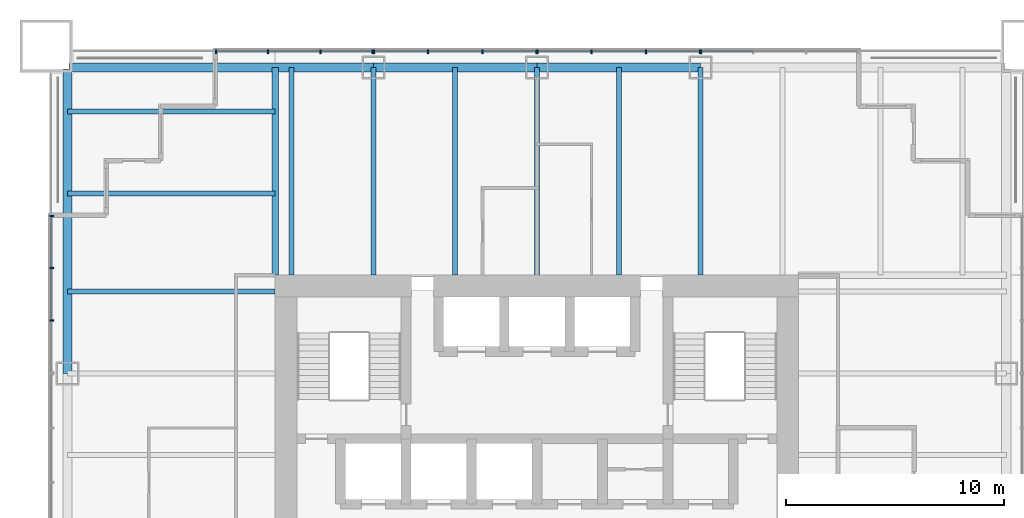
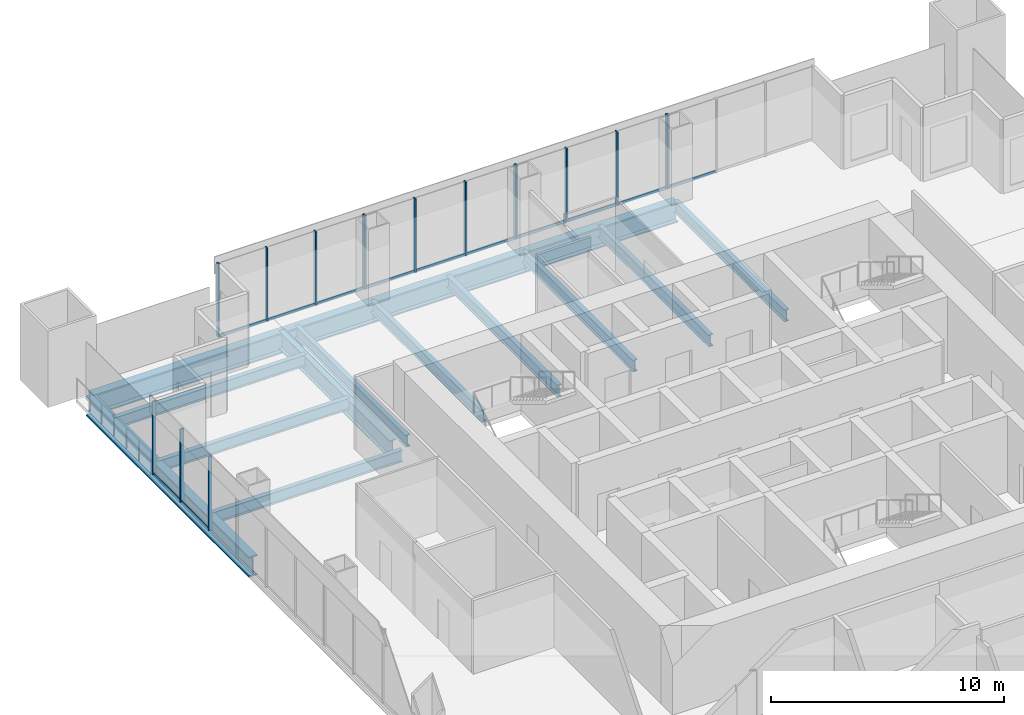
# One storey, part 5 of 13: 28 members, 14 beams, 5 elements without a shape of their own.
"""IFC4 building model written with IfcOpenShell, lengths in metres."""

from ifc_helpers import new_model, si_unit, direction, frame, origin, origin_2d, place, context, subcontext, project, spatial, rectangle, i_section, extrude, material, material_profile, profile_set, type_object, element, aggregate, save


model = new_model("IFC4")

# Units and contexts
model_context = context("Model", 3, precision=1e-05, world=origin(), true_north=direction((0.0, 1.0)))
body_context = subcontext(model_context, "Body", "Model", "MODEL_VIEW")
ifc_project = project(units=[si_unit("LENGTHUNIT", "METRE"), si_unit("AREAUNIT", "SQUARE_METRE"), si_unit("VOLUMEUNIT", "CUBIC_METRE"), si_unit("PLANEANGLEUNIT", "RADIAN"), si_unit("MASSUNIT", "GRAM", prefix="KILO")], contexts=[model_context])

# Site, building, storey
site_placement = place(None, origin())
site = spatial("IfcSite", under=ifc_project, at=site_placement, CompositionType="ELEMENT")
building_placement = place(site_placement, origin())
building = spatial("IfcBuilding", under=site, at=building_placement, Name="Tarangal Relay Tower", CompositionType="ELEMENT")
storey_placement = place(building_placement, frame((0.0, 0.0, 217.89990234375)))
storey = spatial("IfcBuildingStorey", under=building, at=storey_placement, Name="L46", CompositionType="ELEMENT", Elevation=217.89990234375)

# Beams
ifc_material_1 = material(Name="Steel ASTM A992", Category="steel")
ifc_material_profile_1 = material_profile(ifc_material_1, i_section(OverallWidth=0.227783203125, OverallDepth=0.60205078125, WebThickness=0.010498046875, FlangeThickness=0.014892578125, at=origin_2d()), Name="W24X68")
ifc_profile_set_1 = profile_set([ifc_material_profile_1], Name="Steel ASTM A992")
beam_type_1 = type_object("IfcBeamType", Name="Corner beam W24X68", PredefinedType="JOIST", material=ifc_profile_set_1)
for number, where, z_axis, x_axis, name in (
    (1, (-12.0, 15.75, -0.450927734375), (-1.0, 0.0, 0.0), (0.0, -1.0, 0.0), "Corner beam CB11 W L46"),
    (2, (-12.0, 19.5, -0.450927734375), (-1.0, 0.0, 0.0), (0.0, -1.0, 0.0), "Corner beam CB11 W L46"),
):
    element("IfcBeam", number, at=place(storey_placement, frame(where, z_axis=z_axis, x_axis=x_axis)), inside=storey, type_object=beam_type_1, Name=name, PredefinedType="JOIST", context=body_context, shape_type="SweptSolid", body=[
        extrude(i_section(OverallWidth=0.227783203125, OverallDepth=0.60205078125, WebThickness=0.010498046875, FlangeThickness=0.014892578125, at=origin_2d()), origin(), (0.0, 0.0, 1.0), 9.514892578125),
    ])
ifc_material_profile_2 = material_profile(ifc_material_1, i_section(OverallWidth=0.307373046875, OverallDepth=0.9423828125, WebThickness=0.022216796875, FlangeThickness=0.039794921875, at=origin_2d()), Name="W36X232")
ifc_profile_set_2 = profile_set([ifc_material_profile_2], Name="Steel ASTM A992")
beam_type_2 = type_object("IfcBeamType", Name="Corner girder W36X232", PredefinedType="BEAM", material=ifc_profile_set_2)
beam_1_placement = place(storey_placement, frame((-12.0, 12.0, -0.62109375), z_axis=(0.0, 1.0, 0.0), x_axis=(-1.0, 0.0, 0.0)))
element("IfcBeam", 3, at=beam_1_placement, inside=storey, type_object=beam_type_2, Name="Corner girder CG4 W L46", PredefinedType="BEAM", context=body_context, shape_type="SweptSolid", body=[
    extrude(i_section(OverallWidth=0.307373046875, OverallDepth=0.9423828125, WebThickness=0.022216796875, FlangeThickness=0.039794921875, at=origin_2d()), origin(), (0.0, 0.0, 1.0), 9.514892578125),
])
ifc_material_profile_3 = material_profile(ifc_material_1, i_section(OverallWidth=0.41650390625, OverallDepth=1.0693359375, WebThickness=0.0390625, FlangeThickness=0.070068359375, at=origin_2d()), Name="W40X503")
ifc_profile_set_3 = profile_set([ifc_material_profile_3], Name="Steel ASTM A992")
beam_type_3 = type_object("IfcBeamType", Name="Edge girder W40X503", PredefinedType="SPANDREL", material=ifc_profile_set_3)
beam_2_placement = place(storey_placement, frame((-21.449951171875, 21.514892578125, -0.6845703125), z_axis=(1.0, 0.0, 0.0), x_axis=(0.0, 1.0, 0.0)))
element("IfcBeam", 4, at=beam_2_placement, inside=storey, type_object=beam_type_3, Name="Edge girder EG8 N L46", PredefinedType="SPANDREL", context=body_context, shape_type="SweptSolid", body=[
    extrude(i_section(OverallWidth=0.41650390625, OverallDepth=1.0693359375, WebThickness=0.0390625, FlangeThickness=0.070068359375, at=origin_2d()), origin(), (0.0, 0.0, 1.0), 13.949951171875),
])
for number, where, z_axis, x_axis, name in (
    (5, (-7.5, 21.514892578125, -0.6845703125), (1.0, 0.0, 0.0), (0.0, 1.0, 0.0), "Edge girder EG8 N L46"),
    (6, (0.0, 21.514892578125, -0.6845703125), (1.0, 0.0, 0.0), (0.0, 1.0, 0.0), "Edge girder EG8 N L46"),
):
    element("IfcBeam", number, at=place(storey_placement, frame(where, z_axis=z_axis, x_axis=x_axis)), inside=storey, type_object=beam_type_3, Name=name, PredefinedType="SPANDREL", context=body_context, shape_type="SweptSolid", body=[
        extrude(i_section(OverallWidth=0.41650390625, OverallDepth=1.0693359375, WebThickness=0.0390625, FlangeThickness=0.070068359375, at=origin_2d()), origin(), (0.0, 0.0, 1.0), 7.5),
    ])
beam_3_placement = place(storey_placement, frame((-21.514892578125, 7.5, -0.6845703125), z_axis=(0.0, 1.0, 0.0), x_axis=(-1.0, 0.0, 0.0)))
element("IfcBeam", 7, at=beam_3_placement, inside=storey, type_object=beam_type_3, Name="Edge girder EG8 W L46", PredefinedType="SPANDREL", context=body_context, shape_type="SweptSolid", body=[
    extrude(i_section(OverallWidth=0.41650390625, OverallDepth=1.0693359375, WebThickness=0.0390625, FlangeThickness=0.070068359375, at=origin_2d()), origin(), (0.0, 0.0, 1.0), 13.949951171875),
])
ifc_material_profile_4 = material_profile(ifc_material_1, i_section(OverallWidth=0.22900390625, OverallDepth=0.612060546875, WebThickness=0.011962890625, FlangeThickness=0.01953125, at=origin_2d()), Name="W24X84")
ifc_profile_set_4 = profile_set([ifc_material_profile_4], Name="Steel ASTM A992")
beam_type_4 = type_object("IfcBeamType", Name="Floor beam W24X84", PredefinedType="BEAM", material=ifc_profile_set_4)
for number, where, z_axis, x_axis, name in (
    (8, (-11.25, 12.0, -0.455810546875), (0.0, 1.0, 0.0), (-1.0, 0.0, 0.0), "Floor beam RB12 N L46"),
    (9, (-7.5, 12.0, -0.455810546875), (0.0, 1.0, 0.0), (-1.0, 0.0, 0.0), "Floor beam RB12 N L46"),
    (10, (-3.75, 12.0, -0.455810546875), (0.0, 1.0, 0.0), (-1.0, 0.0, 0.0), "Floor beam RB12 N L46"),
    (11, (0.0, 12.0, -0.455810546875), (0.0, 1.0, 0.0), (-1.0, 0.0, 0.0), "Floor beam RB12 N L46"),
    (12, (3.75, 12.0, -0.455810546875), (0.0, 1.0, 0.0), (-1.0, 0.0, 0.0), "Floor beam RB12 N L46"),
    (13, (7.5, 12.0, -0.455810546875), (0.0, 1.0, 0.0), (-1.0, 0.0, 0.0), "Floor beam RB12 N L46"),
    (14, (-12.0, 11.25, -0.455810546875), (-1.0, 0.0, 0.0), (0.0, -1.0, 0.0), "Floor beam RB12 W L46"),
):
    element("IfcBeam", number, at=place(storey_placement, frame(where, z_axis=z_axis, x_axis=x_axis)), inside=storey, type_object=beam_type_4, Name=name, PredefinedType="BEAM", context=body_context, shape_type="SweptSolid", body=[
        extrude(i_section(OverallWidth=0.22900390625, OverallDepth=0.612060546875, WebThickness=0.011962890625, FlangeThickness=0.01953125, at=origin_2d()), origin(), (0.0, 0.0, 1.0), 9.514892578125),
    ])

# Curtain wall, members
ifc_material_2 = material(Name="Unitised curtain wall, dark glass and black aluminium", Category="aluminium")
curtain_wall_type = type_object("IfcCurtainWallType", Name="Curtain wall CW-A", PredefinedType="USERDEFINED", material=ifc_material_2)
curtain_wall_1_placement = place(storey_placement, origin())
curtain_wall_1 = element("IfcCurtainWall", 15, at=curtain_wall_1_placement, inside=storey, type_object=curtain_wall_type, Name="Curtain wall CW-A N facade L46", ObjectType="UNITISED CURTAIN WALL", PredefinedType="USERDEFINED")
ifc_material_3 = material(Name="Black anodised aluminium mullion", Category="aluminium")
ifc_material_profile_5 = material_profile(ifc_material_3, rectangle(XDim=0.175048828125, YDim=0.06494140625, at=origin_2d()), Name="CW-AM 65X175")
ifc_profile_set_5 = profile_set([ifc_material_profile_5], Name="Black anodised aluminium mullion")
member_type_1 = type_object("IfcMemberType", Name="Mullion CW-A 65 x 175", PredefinedType="MULLION", material=ifc_profile_set_5)
member_1_placement = place(storey_placement, frame((-14.717529296875, 22.25, 0.0), z_axis=(0.0, 0.0, 1.0), x_axis=(0.0, 1.0, 0.0)))
member_1 = element("IfcMember", 16, at=member_1_placement, type_object=member_type_1, Name="CW-A mullion 1", PredefinedType="MULLION", context=body_context, shape_type="SweptSolid", body=[
    extrude(rectangle(XDim=0.175048828125, YDim=0.06494140625, at=origin_2d()), origin(), (0.0, 0.0, 1.0), 3.85009765625),
])
member_2_placement = place(storey_placement, frame((-12.333251953125, 22.25, 0.0), z_axis=(0.0, 0.0, 1.0), x_axis=(0.0, 1.0, 0.0)))
member_2 = element("IfcMember", 17, at=member_2_placement, type_object=member_type_1, Name="CW-A mullion 2", PredefinedType="MULLION", context=body_context, shape_type="SweptSolid", body=[
    extrude(rectangle(XDim=0.175048828125, YDim=0.06494140625, at=origin_2d()), origin(), (0.0, 0.0, 1.0), 3.85009765625),
])
member_3_placement = place(storey_placement, frame((-9.916748046875, 22.25, 0.0), z_axis=(0.0, 0.0, 1.0), x_axis=(0.0, 1.0, 0.0)))
member_3 = element("IfcMember", 18, at=member_3_placement, type_object=member_type_1, Name="CW-A mullion 3", PredefinedType="MULLION", context=body_context, shape_type="SweptSolid", body=[
    extrude(rectangle(XDim=0.175048828125, YDim=0.06494140625, at=origin_2d()), origin(), (0.0, 0.0, 1.0), 3.85009765625),
])
member_4_placement = place(storey_placement, frame((-7.532470703125, 22.25, 0.0), z_axis=(0.0, 0.0, 1.0), x_axis=(0.0, 1.0, 0.0)))
member_4 = element("IfcMember", 19, at=member_4_placement, type_object=member_type_1, Name="CW-A mullion 4", PredefinedType="MULLION", context=body_context, shape_type="SweptSolid", body=[
    extrude(rectangle(XDim=0.175048828125, YDim=0.06494140625, at=origin_2d()), origin(), (0.0, 0.0, 1.0), 3.85009765625),
])

curtain_wall_2_placement = place(storey_placement, origin())
curtain_wall_2 = element("IfcCurtainWall", 20, at=curtain_wall_2_placement, inside=storey, type_object=curtain_wall_type, Name="Curtain wall CW-A N facade L46", ObjectType="UNITISED CURTAIN WALL", PredefinedType="USERDEFINED")
member_5_placement = place(storey_placement, frame((-7.467529296875, 22.25, 0.0), z_axis=(0.0, 0.0, 1.0), x_axis=(0.0, 1.0, 0.0)))
member_5 = element("IfcMember", 21, at=member_5_placement, type_object=member_type_1, Name="CW-A mullion 1", PredefinedType="MULLION", context=body_context, shape_type="SweptSolid", body=[
    extrude(rectangle(XDim=0.175048828125, YDim=0.06494140625, at=origin_2d()), origin(), (0.0, 0.0, 1.0), 3.85009765625),
])
member_6_placement = place(storey_placement, frame((-5.0, 22.25, 0.0), z_axis=(0.0, 0.0, 1.0), x_axis=(0.0, 1.0, 0.0)))
member_6 = element("IfcMember", 22, at=member_6_placement, type_object=member_type_1, Name="CW-A mullion 2", PredefinedType="MULLION", context=body_context, shape_type="SweptSolid", body=[
    extrude(rectangle(XDim=0.175048828125, YDim=0.06494140625, at=origin_2d()), origin(), (0.0, 0.0, 1.0), 3.85009765625),
])
member_7_placement = place(storey_placement, frame((-2.5, 22.25, 0.0), z_axis=(0.0, 0.0, 1.0), x_axis=(0.0, 1.0, 0.0)))
member_7 = element("IfcMember", 23, at=member_7_placement, type_object=member_type_1, Name="CW-A mullion 3", PredefinedType="MULLION", context=body_context, shape_type="SweptSolid", body=[
    extrude(rectangle(XDim=0.175048828125, YDim=0.06494140625, at=origin_2d()), origin(), (0.0, 0.0, 1.0), 3.85009765625),
])
member_8_placement = place(storey_placement, frame((-0.032470703125, 22.25, 0.0), z_axis=(0.0, 0.0, 1.0), x_axis=(0.0, 1.0, 0.0)))
member_8 = element("IfcMember", 24, at=member_8_placement, type_object=member_type_1, Name="CW-A mullion 4", PredefinedType="MULLION", context=body_context, shape_type="SweptSolid", body=[
    extrude(rectangle(XDim=0.175048828125, YDim=0.06494140625, at=origin_2d()), origin(), (0.0, 0.0, 1.0), 3.85009765625),
])

curtain_wall_3_placement = place(storey_placement, origin())
curtain_wall_3 = element("IfcCurtainWall", 25, at=curtain_wall_3_placement, inside=storey, type_object=curtain_wall_type, Name="Curtain wall CW-A N facade L46", ObjectType="UNITISED CURTAIN WALL", PredefinedType="USERDEFINED")
member_9_placement = place(storey_placement, frame((0.032470703125, 22.25, 0.0), z_axis=(0.0, 0.0, 1.0), x_axis=(0.0, 1.0, 0.0)))
member_9 = element("IfcMember", 26, at=member_9_placement, type_object=member_type_1, Name="CW-A mullion 1", PredefinedType="MULLION", context=body_context, shape_type="SweptSolid", body=[
    extrude(rectangle(XDim=0.175048828125, YDim=0.06494140625, at=origin_2d()), origin(), (0.0, 0.0, 1.0), 3.85009765625),
])
member_10_placement = place(storey_placement, frame((2.5, 22.25, 0.0), z_axis=(0.0, 0.0, 1.0), x_axis=(0.0, 1.0, 0.0)))
member_10 = element("IfcMember", 27, at=member_10_placement, type_object=member_type_1, Name="CW-A mullion 2", PredefinedType="MULLION", context=body_context, shape_type="SweptSolid", body=[
    extrude(rectangle(XDim=0.175048828125, YDim=0.06494140625, at=origin_2d()), origin(), (0.0, 0.0, 1.0), 3.85009765625),
])
member_11_placement = place(storey_placement, frame((5.0, 22.25, 0.0), z_axis=(0.0, 0.0, 1.0), x_axis=(0.0, 1.0, 0.0)))
member_11 = element("IfcMember", 28, at=member_11_placement, type_object=member_type_1, Name="CW-A mullion 3", PredefinedType="MULLION", context=body_context, shape_type="SweptSolid", body=[
    extrude(rectangle(XDim=0.175048828125, YDim=0.06494140625, at=origin_2d()), origin(), (0.0, 0.0, 1.0), 3.85009765625),
])
member_12_placement = place(storey_placement, frame((7.467529296875, 22.25, 0.0), z_axis=(0.0, 0.0, 1.0), x_axis=(0.0, 1.0, 0.0)))
member_12 = element("IfcMember", 29, at=member_12_placement, type_object=member_type_1, Name="CW-A mullion 4", PredefinedType="MULLION", context=body_context, shape_type="SweptSolid", body=[
    extrude(rectangle(XDim=0.175048828125, YDim=0.06494140625, at=origin_2d()), origin(), (0.0, 0.0, 1.0), 3.85009765625),
])

# Curtain wall, member
curtain_wall_4_placement = place(storey_placement, origin())
curtain_wall_4 = element("IfcCurtainWall", 30, at=curtain_wall_4_placement, inside=storey, type_object=curtain_wall_type, Name="Curtain wall CW-A N facade L46", ObjectType="UNITISED CURTAIN WALL", PredefinedType="USERDEFINED")
member_13_placement = place(storey_placement, frame((7.532470703125, 22.25, 0.0), z_axis=(0.0, 0.0, 1.0), x_axis=(0.0, 1.0, 0.0)))
member_13 = element("IfcMember", 31, at=member_13_placement, type_object=member_type_1, Name="CW-A mullion 1", PredefinedType="MULLION", context=body_context, shape_type="SweptSolid", body=[
    extrude(rectangle(XDim=0.175048828125, YDim=0.06494140625, at=origin_2d()), origin(), (0.0, 0.0, 1.0), 3.85009765625),
])

# Curtain wall, members
curtain_wall_5_placement = place(storey_placement, origin())
curtain_wall_5 = element("IfcCurtainWall", 32, at=curtain_wall_5_placement, inside=storey, type_object=curtain_wall_type, Name="Curtain wall CW-A W facade L46", ObjectType="UNITISED CURTAIN WALL", PredefinedType="USERDEFINED")
member_14_placement = place(storey_placement, frame((-22.25, 9.916748046875, 0.0), z_axis=(0.0, 0.0, 1.0), x_axis=(-1.0, 0.0, 0.0)))
member_14 = element("IfcMember", 33, at=member_14_placement, type_object=member_type_1, Name="CW-A mullion 2", PredefinedType="MULLION", context=body_context, shape_type="SweptSolid", body=[
    extrude(rectangle(XDim=0.175048828125, YDim=0.06494140625, at=origin_2d()), origin(), (0.0, 0.0, 1.0), 3.85009765625),
])
member_15_placement = place(storey_placement, frame((-22.25, 12.333251953125, 0.0), z_axis=(0.0, 0.0, 1.0), x_axis=(-1.0, 0.0, 0.0)))
member_15 = element("IfcMember", 34, at=member_15_placement, type_object=member_type_1, Name="CW-A mullion 3", PredefinedType="MULLION", context=body_context, shape_type="SweptSolid", body=[
    extrude(rectangle(XDim=0.175048828125, YDim=0.06494140625, at=origin_2d()), origin(), (0.0, 0.0, 1.0), 3.85009765625),
])
member_16_placement = place(storey_placement, frame((-22.25, 14.717529296875, 0.0), z_axis=(0.0, 0.0, 1.0), x_axis=(-1.0, 0.0, 0.0)))
member_16 = element("IfcMember", 35, at=member_16_placement, type_object=member_type_1, Name="CW-A mullion 4", PredefinedType="MULLION", context=body_context, shape_type="SweptSolid", body=[
    extrude(rectangle(XDim=0.175048828125, YDim=0.06494140625, at=origin_2d()), origin(), (0.0, 0.0, 1.0), 3.85009765625),
])

# Member
ifc_material_4 = material(Name="Black anodised aluminium transom", Category="aluminium")
ifc_material_profile_6 = material_profile(ifc_material_4, rectangle(XDim=0.06494140625, YDim=0.14990234375, at=origin_2d()), Name="CW-AT 65X150")
ifc_profile_set_6 = profile_set([ifc_material_profile_6], Name="Black anodised aluminium transom")
member_type_2 = type_object("IfcMemberType", Name="Transom CW-A 65 x 150", PredefinedType="USERDEFINED", material=ifc_profile_set_6)
member_17_placement = place(storey_placement, frame((-14.68505859375, 22.25, 0.03271484375), z_axis=(1.0, 0.0, 0.0), x_axis=(0.0, 1.0, 0.0)))
member_17 = element("IfcMember", 36, at=member_17_placement, type_object=member_type_2, Name="CW-A transom 1.1", ObjectType="TRANSOM", PredefinedType="USERDEFINED", context=body_context, shape_type="SweptSolid", body=[
    extrude(rectangle(XDim=0.06494140625, YDim=0.14990234375, at=origin_2d()), origin(), (0.0, 0.0, 1.0), 2.3193359375),
])

member_18_placement = place(storey_placement, frame((-12.30078125, 22.25, 0.03271484375), z_axis=(1.0, 0.0, 0.0), x_axis=(0.0, 1.0, 0.0)))
member_18 = element("IfcMember", 37, at=member_18_placement, type_object=member_type_2, Name="CW-A transom 2.1", ObjectType="TRANSOM", PredefinedType="USERDEFINED", context=body_context, shape_type="SweptSolid", body=[
    extrude(rectangle(XDim=0.06494140625, YDim=0.14990234375, at=origin_2d()), origin(), (0.0, 0.0, 1.0), 2.3515625),
])

member_19_placement = place(storey_placement, frame((-9.88427734375, 22.25, 0.03271484375), z_axis=(1.0, 0.0, 0.0), x_axis=(0.0, 1.0, 0.0)))
member_19 = element("IfcMember", 38, at=member_19_placement, type_object=member_type_2, Name="CW-A transom 3.1", ObjectType="TRANSOM", PredefinedType="USERDEFINED", context=body_context, shape_type="SweptSolid", body=[
    extrude(rectangle(XDim=0.06494140625, YDim=0.14990234375, at=origin_2d()), origin(), (0.0, 0.0, 1.0), 2.3193359375),
])

aggregate(curtain_wall_1, [member_1, member_2, member_3, member_4, member_17, member_18, member_19])

member_20_placement = place(storey_placement, frame((-7.43505859375, 22.25, 0.03271484375), z_axis=(1.0, 0.0, 0.0), x_axis=(0.0, 1.0, 0.0)))
member_20 = element("IfcMember", 39, at=member_20_placement, type_object=member_type_2, Name="CW-A transom 1.1", ObjectType="TRANSOM", PredefinedType="USERDEFINED", context=body_context, shape_type="SweptSolid", body=[
    extrude(rectangle(XDim=0.06494140625, YDim=0.14990234375, at=origin_2d()), origin(), (0.0, 0.0, 1.0), 2.402587890625),
])

member_21_placement = place(storey_placement, frame((-4.967529296875, 22.25, 0.03271484375), z_axis=(1.0, 0.0, 0.0), x_axis=(0.0, 1.0, 0.0)))
member_21 = element("IfcMember", 40, at=member_21_placement, type_object=member_type_2, Name="CW-A transom 2.1", ObjectType="TRANSOM", PredefinedType="USERDEFINED", context=body_context, shape_type="SweptSolid", body=[
    extrude(rectangle(XDim=0.06494140625, YDim=0.14990234375, at=origin_2d()), origin(), (0.0, 0.0, 1.0), 2.43505859375),
])

member_22_placement = place(storey_placement, frame((-2.467529296875, 22.25, 0.03271484375), z_axis=(1.0, 0.0, 0.0), x_axis=(0.0, 1.0, 0.0)))
member_22 = element("IfcMember", 41, at=member_22_placement, type_object=member_type_2, Name="CW-A transom 3.1", ObjectType="TRANSOM", PredefinedType="USERDEFINED", context=body_context, shape_type="SweptSolid", body=[
    extrude(rectangle(XDim=0.06494140625, YDim=0.14990234375, at=origin_2d()), origin(), (0.0, 0.0, 1.0), 2.402587890625),
])

aggregate(curtain_wall_2, [member_5, member_6, member_7, member_8, member_20, member_21, member_22])

member_23_placement = place(storey_placement, frame((0.06494140625, 22.25, 0.03271484375), z_axis=(1.0, 0.0, 0.0), x_axis=(0.0, 1.0, 0.0)))
member_23 = element("IfcMember", 42, at=member_23_placement, type_object=member_type_2, Name="CW-A transom 1.1", ObjectType="TRANSOM", PredefinedType="USERDEFINED", context=body_context, shape_type="SweptSolid", body=[
    extrude(rectangle(XDim=0.06494140625, YDim=0.14990234375, at=origin_2d()), origin(), (0.0, 0.0, 1.0), 2.402587890625),
])

member_24_placement = place(storey_placement, frame((2.532470703125, 22.25, 0.03271484375), z_axis=(1.0, 0.0, 0.0), x_axis=(0.0, 1.0, 0.0)))
member_24 = element("IfcMember", 43, at=member_24_placement, type_object=member_type_2, Name="CW-A transom 2.1", ObjectType="TRANSOM", PredefinedType="USERDEFINED", context=body_context, shape_type="SweptSolid", body=[
    extrude(rectangle(XDim=0.06494140625, YDim=0.14990234375, at=origin_2d()), origin(), (0.0, 0.0, 1.0), 2.43505859375),
])

member_25_placement = place(storey_placement, frame((5.032470703125, 22.25, 0.03271484375), z_axis=(1.0, 0.0, 0.0), x_axis=(0.0, 1.0, 0.0)))
member_25 = element("IfcMember", 44, at=member_25_placement, type_object=member_type_2, Name="CW-A transom 3.1", ObjectType="TRANSOM", PredefinedType="USERDEFINED", context=body_context, shape_type="SweptSolid", body=[
    extrude(rectangle(XDim=0.06494140625, YDim=0.14990234375, at=origin_2d()), origin(), (0.0, 0.0, 1.0), 2.402587890625),
])

aggregate(curtain_wall_3, [member_9, member_10, member_11, member_12, member_23, member_24, member_25])

member_26_placement = place(storey_placement, frame((7.56494140625, 22.25, 0.03271484375), z_axis=(1.0, 0.0, 0.0), x_axis=(0.0, 1.0, 0.0)))
member_26 = element("IfcMember", 45, at=member_26_placement, type_object=member_type_2, Name="CW-A transom 1.1", ObjectType="TRANSOM", PredefinedType="USERDEFINED", context=body_context, shape_type="SweptSolid", body=[
    extrude(rectangle(XDim=0.06494140625, YDim=0.14990234375, at=origin_2d()), origin(), (0.0, 0.0, 1.0), 2.3193359375),
])

aggregate(curtain_wall_4, [member_13, member_26])

member_27_placement = place(storey_placement, frame((-22.25, 9.94921875, 0.03271484375), z_axis=(0.0, 1.0, 0.0), x_axis=(-1.0, 0.0, 0.0)))
member_27 = element("IfcMember", 46, at=member_27_placement, type_object=member_type_2, Name="CW-A transom 2.1", ObjectType="TRANSOM", PredefinedType="USERDEFINED", context=body_context, shape_type="SweptSolid", body=[
    extrude(rectangle(XDim=0.06494140625, YDim=0.14990234375, at=origin_2d()), origin(), (0.0, 0.0, 1.0), 2.3515625),
])

member_28_placement = place(storey_placement, frame((-22.25, 12.36572265625, 0.03271484375), z_axis=(0.0, 1.0, 0.0), x_axis=(-1.0, 0.0, 0.0)))
member_28 = element("IfcMember", 47, at=member_28_placement, type_object=member_type_2, Name="CW-A transom 3.1", ObjectType="TRANSOM", PredefinedType="USERDEFINED", context=body_context, shape_type="SweptSolid", body=[
    extrude(rectangle(XDim=0.06494140625, YDim=0.14990234375, at=origin_2d()), origin(), (0.0, 0.0, 1.0), 2.3193359375),
])

aggregate(curtain_wall_5, [member_14, member_15, member_16, member_27, member_28])

save(model, "model.ifc")
